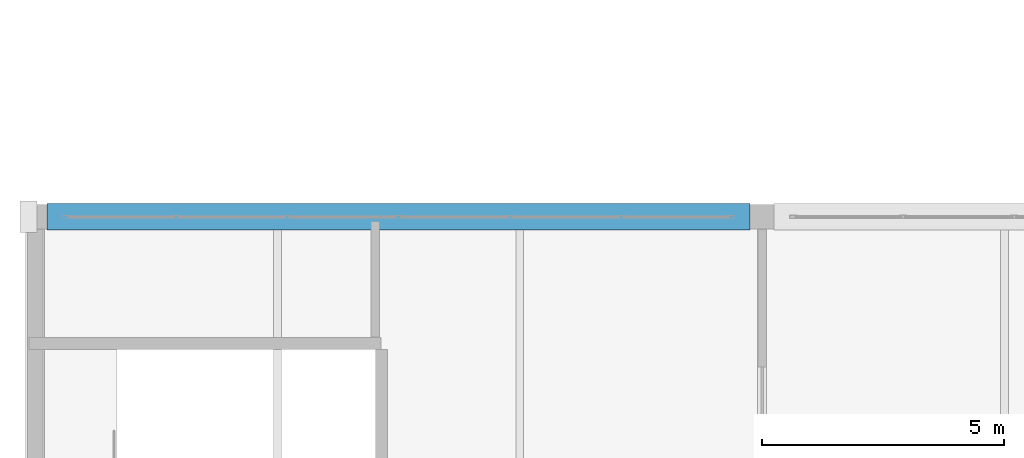
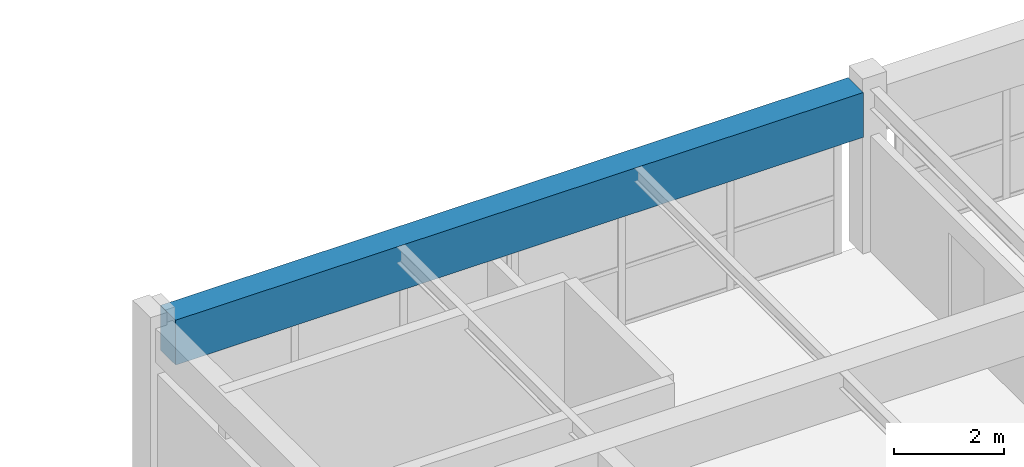
# One storey, part 17 of 82: 1 beam.
"""IFC4 building model written with IfcOpenShell, lengths in metres."""

from ifc_helpers import new_model, si_unit, direction, frame, origin, origin_2d, place, context, subcontext, project, spatial, rectangle, extrude, material, material_profile, profile_set, type_object, element, save


model = new_model("IFC4")

# Units and contexts
model_context = context("Model", 3, precision=1e-05, world=origin(), true_north=direction((0.0, 1.0)))
body_context = subcontext(model_context, "Body", "Model", "MODEL_VIEW")
ifc_project = project(units=[si_unit("LENGTHUNIT", "METRE"), si_unit("AREAUNIT", "SQUARE_METRE"), si_unit("VOLUMEUNIT", "CUBIC_METRE"), si_unit("PLANEANGLEUNIT", "RADIAN"), si_unit("MASSUNIT", "GRAM", prefix="KILO")], contexts=[model_context])

# Site, building, storey
site_placement = place(None, origin())
site = spatial("IfcSite", under=ifc_project, at=site_placement, CompositionType="ELEMENT")
building_placement = place(site_placement, origin())
building = spatial("IfcBuilding", under=site, at=building_placement, Name="Qasida Concert Hall", CompositionType="ELEMENT")
storey_placement = place(building_placement, frame((0.0, 0.0, 17.10009765625)))
storey = spatial("IfcBuildingStorey", under=building, at=storey_placement, Name="L04", CompositionType="ELEMENT", Elevation=17.10009765625)

# Beam
ifc_material = material(Name="Concrete C40/50", Category="concrete")
ifc_material_profile = material_profile(ifc_material, rectangle(XDim=0.550048828125, YDim=1.0, at=origin_2d()), Name="RC 550x1000")
ifc_profile_set = profile_set([ifc_material_profile], Name="Concrete C40/50")
beam_type = type_object("IfcBeamType", Name="BM-G3", PredefinedType="USERDEFINED", material=ifc_profile_set)
beam_placement = place(storey_placement, frame((0.25, 52.5, 3.119873046875), z_axis=(1.0, 0.0, 0.0), x_axis=(0.0, 1.0, 0.0)))
element("IfcBeam", 1, at=beam_placement, inside=storey, type_object=beam_type, Name="Primary girder 1901", ObjectType="GIRDER", PredefinedType="USERDEFINED", context=body_context, shape_type="SweptSolid", body=[
    extrude(rectangle(XDim=0.550048828125, YDim=1.0, at=origin_2d()), origin(), (0.0, 0.0, 1.0), 14.5),
])

save(model, "model.ifc")
